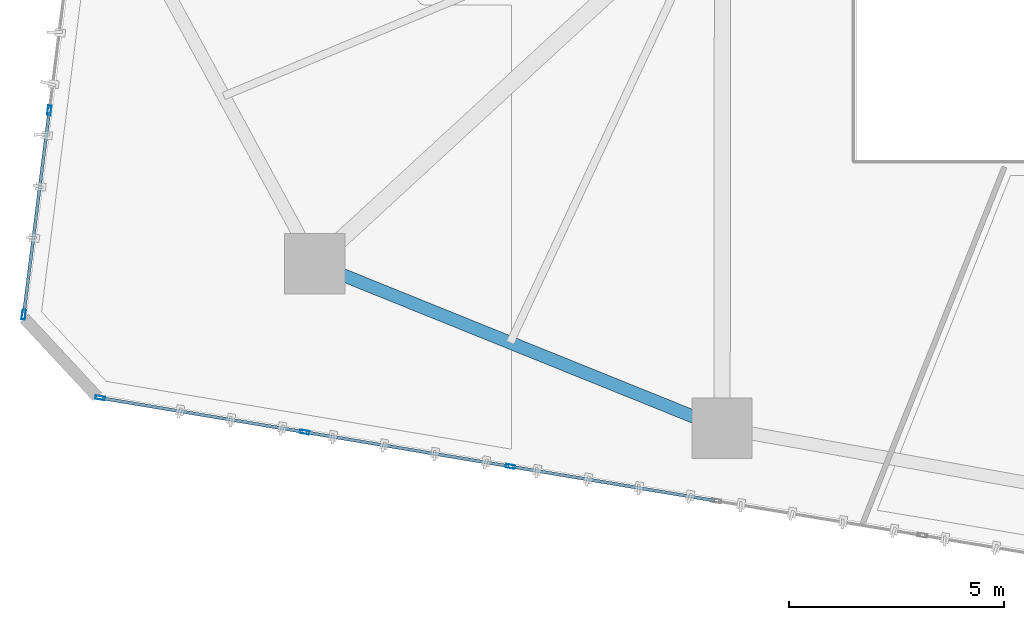
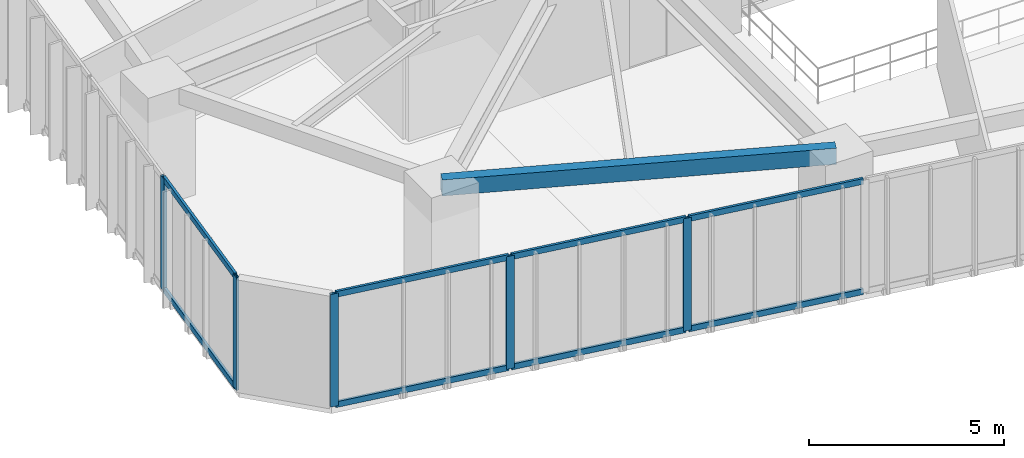
# One storey, part 2 of 21: 13 members, 1 beam, 2 elements without a shape of their own.
"""IFC4 building model written with IfcOpenShell, lengths in metres."""

from ifc_helpers import new_model, si_unit, direction, frame, origin, origin_2d, place, context, subcontext, project, spatial, hollow_rectangle, extrude, source, transform, mapped, material, layer, layer_set, material_profile, profile_set, type_object, type_shapes, element, aggregate, save


model = new_model("IFC4")

# Units and contexts
model_context = context("Model", 3, precision=1e-05, world=origin(), true_north=direction((0.0, 1.0)))
body_context = subcontext(model_context, "Body", "Model", "MODEL_VIEW")
ifc_project = project(units=[si_unit("LENGTHUNIT", "METRE"), si_unit("AREAUNIT", "SQUARE_METRE"), si_unit("VOLUMEUNIT", "CUBIC_METRE"), si_unit("PLANEANGLEUNIT", "RADIAN"), si_unit("MASSUNIT", "GRAM", prefix="KILO")], contexts=[model_context])

# Site, building, storey
site_placement = place(None, origin())
site = spatial("IfcSite", under=ifc_project, at=site_placement, CompositionType="ELEMENT")
building_placement = place(site_placement, origin())
building = spatial("IfcBuilding", under=site, at=building_placement, Name="Talar Marvaseh", CompositionType="ELEMENT")
storey_placement = place(building_placement, frame((0.0, 0.0, 62.0)))
storey = spatial("IfcBuildingStorey", under=building, at=storey_placement, Name="L15", CompositionType="ELEMENT", Elevation=62.0)

# Beam
ifc_material_1 = material(Name="Steel S355", Category="steel")
ifc_material_profile_1 = material_profile(ifc_material_1, hollow_rectangle(XDim=0.300048828125, YDim=0.5, WallThickness=0.02001953125, at=origin_2d()), Name="RHS500x300x20")
ifc_profile_set_1 = profile_set([ifc_material_profile_1], Name="Steel S355")
beam_type = type_object("IfcBeamType", Name="Zone 1 Perimeter Spandrel Beam RHS500x300x20", PredefinedType="SPANDREL", material=ifc_profile_set_1)
beam_placement = place(storey_placement, frame((18.68310546875, 12.97900390625, 3.27001953125), z_axis=(-0.927239278118, 0.374469386084, 0.0), x_axis=(-0.374469386084, -0.927239278118, 0.0)))
element("IfcBeam", 1, at=beam_placement, inside=storey, type_object=beam_type, Name="L15 Zone 1 Perimeter Spandrel Beam RHS500x300x20", PredefinedType="SPANDREL", context=body_context, shape_type="SweptSolid", body=[
    extrude(hollow_rectangle(XDim=0.300048828125, YDim=0.5, WallThickness=0.02001953125, at=origin_2d()), origin(), (0.0, 0.0, 1.0), 10.19287109375),
])

# Curtain wall, members
ifc_material_2 = material(Name="Architectural Aluminium", Category="aluminium")
ifc_layer = layer(ifc_material_2, 0.219970703125)
ifc_layer_set = layer_set([ifc_layer], Name="Architectural Aluminium")
curtain_wall_type = type_object("IfcCurtainWallType", Name="Unitised Low-E Museum Curtain Wall Z1", PredefinedType="NOTDEFINED", material=ifc_layer_set)
curtain_wall_1_placement = place(storey_placement, origin())
curtain_wall_1 = element("IfcCurtainWall", 2, at=curtain_wall_1_placement, inside=storey, type_object=curtain_wall_type, Name="L15 Unitised Low-E Museum Curtain Wall Z1", PredefinedType="NOTDEFINED")
ifc_material_profile_2 = material_profile(ifc_material_2, hollow_rectangle(XDim=0.080078125, YDim=0.219970703125, WallThickness=0.0048828125, at=origin_2d()), Name="RHS220x80x5")
ifc_profile_set_2 = profile_set([ifc_material_profile_2], Name="Architectural Aluminium")
member_type_1 = type_object("IfcMemberType", Name="Unitised Curtain Wall Heavy Mullion RHS220x80x5", PredefinedType="MULLION", material=ifc_profile_set_2)
shared_shape_1 = source(origin(), body_context, "Body", "SweptSolid", [
    extrude(hollow_rectangle(XDim=0.080078125, YDim=0.219970703125, WallThickness=0.0048828125, at=origin_2d()), origin(), (0.0, 0.0, 1.0), 3.52001953125),
])
type_shapes(member_type_1, [shared_shape_1])
member_1_placement = place(storey_placement, frame((2.482177734375, 15.61376953125, 0.0), z_axis=(0.0, 0.0, 1.0), x_axis=(-0.992215547437, 0.124532354927, 0.0)))
member_1 = element("IfcMember", 3, at=member_1_placement, type_object=member_type_1, Name="CW-Z1 mullion 1", PredefinedType="MULLION", context=body_context, shape_type="MappedRepresentation", body=[
    mapped(shared_shape_1, transform((0.0, 0.0, 0.0), x_axis=(1.0, 0.0, 0.0), y_axis=(0.0, 1.0, 0.0), z_axis=(0.0, 0.0, 1.0), scale=1.0)),
])
member_2_placement = place(storey_placement, frame((3.076904296875, 20.353271484375, 0.0), z_axis=(0.0, 0.0, 1.0), x_axis=(-0.992215547437, 0.124532354927, 0.0)))
member_2 = element("IfcMember", 4, at=member_2_placement, type_object=member_type_1, Name="CW-Z1 mullion 2", PredefinedType="MULLION", context=body_context, shape_type="MappedRepresentation", body=[
    mapped(shared_shape_1, transform((0.0, 0.0, 0.0), x_axis=(1.0, 0.0, 0.0), y_axis=(0.0, 1.0, 0.0), z_axis=(0.0, 0.0, 1.0), scale=1.0)),
])

curtain_wall_2_placement = place(storey_placement, origin())
curtain_wall_2 = element("IfcCurtainWall", 5, at=curtain_wall_2_placement, inside=storey, type_object=curtain_wall_type, Name="L15 Unitised Low-E Museum Curtain Wall Z1", PredefinedType="NOTDEFINED")
member_3_placement = place(storey_placement, frame((13.776611328125, 12.090576171875, 0.0), z_axis=(0.0, 0.0, 1.0), x_axis=(-0.164896294876, -0.986310910381, 0.0)))
member_3 = element("IfcMember", 6, at=member_3_placement, type_object=member_type_1, Name="CW-Z1 mullion 4", PredefinedType="MULLION", context=body_context, shape_type="MappedRepresentation", body=[
    mapped(shared_shape_1, transform((0.0, 0.0, 0.0), x_axis=(1.0, 0.0, 0.0), y_axis=(0.0, 1.0, 0.0), z_axis=(0.0, 0.0, 1.0), scale=1.0)),
])
member_4_placement = place(storey_placement, frame((8.99755859375, 12.8896484375, 0.0), z_axis=(0.0, 0.0, 1.0), x_axis=(-0.164896294876, -0.986310910381, 0.0)))
member_4 = element("IfcMember", 7, at=member_4_placement, type_object=member_type_1, Name="CW-Z1 mullion 5", PredefinedType="MULLION", context=body_context, shape_type="MappedRepresentation", body=[
    mapped(shared_shape_1, transform((0.0, 0.0, 0.0), x_axis=(1.0, 0.0, 0.0), y_axis=(0.0, 1.0, 0.0), z_axis=(0.0, 0.0, 1.0), scale=1.0)),
])
member_5_placement = place(storey_placement, frame((4.258056640625, 13.681884765625, 0.0), z_axis=(0.0, 0.0, 1.0), x_axis=(-0.164896294876, -0.986310910381, 0.0)))
member_5 = element("IfcMember", 8, at=member_5_placement, type_object=member_type_1, Name="CW-Z1 mullion 6", PredefinedType="MULLION", context=body_context, shape_type="MappedRepresentation", body=[
    mapped(shared_shape_1, transform((0.0, 0.0, 0.0), x_axis=(1.0, 0.0, 0.0), y_axis=(0.0, 1.0, 0.0), z_axis=(0.0, 0.0, 1.0), scale=1.0)),
])

# Member
ifc_material_profile_3 = material_profile(ifc_material_2, hollow_rectangle(XDim=0.074951171875, YDim=0.179931640625, WallThickness=0.0048828125, at=origin_2d()), Name="RHS180x75x5")
ifc_profile_set_3 = profile_set([ifc_material_profile_3], Name="Architectural Aluminium")
member_type_2 = type_object("IfcMemberType", Name="Unitised Curtain Wall Transom RHS180x75x5", PredefinedType="USERDEFINED", material=ifc_profile_set_3)
shared_shape_2 = source(origin(), body_context, "Body", "SweptSolid", [
    extrude(hollow_rectangle(XDim=0.074951171875, YDim=0.179931640625, WallThickness=0.0048828125, at=origin_2d()), origin(), (0.0, 0.0, 1.0), 4.69677734375),
])
member_6_placement = place(storey_placement, frame((2.487060546875, 15.653564453125, 0.03759765625), z_axis=(0.12454653124, 0.992213768074, 0.0), x_axis=(-0.992213768074, 0.12454653124, 0.0)))
member_6 = element("IfcMember", 9, at=member_6_placement, type_object=member_type_2, Name="CW-Z1 transom 1.1", ObjectType="TRANSOM", PredefinedType="USERDEFINED", context=body_context, shape_type="MappedRepresentation", body=[
    mapped(shared_shape_2, transform((0.0, 0.0, 0.0), x_axis=(1.0, 0.0, 0.0), y_axis=(0.0, 1.0, 0.0), z_axis=(0.0, 0.0, 1.0), scale=1.0)),
])

member_7_placement = place(storey_placement, frame((2.487060546875, 15.653564453125, 3.482421875), z_axis=(0.12454653124, 0.992213768074, 0.0), x_axis=(-0.992213768074, 0.12454653124, 0.0)))
member_7 = element("IfcMember", 10, at=member_7_placement, type_object=member_type_2, Name="CW-Z1 transom 1.2", ObjectType="TRANSOM", PredefinedType="USERDEFINED", context=body_context, shape_type="MappedRepresentation", body=[
    mapped(shared_shape_2, transform((0.0, 0.0, 0.0), x_axis=(1.0, 0.0, 0.0), y_axis=(0.0, 1.0, 0.0), z_axis=(0.0, 0.0, 1.0), scale=1.0)),
])

aggregate(curtain_wall_1, [member_1, member_2, member_6, member_7])

shared_shape_3 = source(origin(), body_context, "Body", "SweptSolid", [
    extrude(hollow_rectangle(XDim=0.074951171875, YDim=0.179931640625, WallThickness=0.0048828125, at=origin_2d()), origin(), (0.0, 0.0, 1.0), 4.725341796875),
])
member_8_placement = place(storey_placement, frame((8.9580078125, 12.896240234375, 0.03759765625), z_axis=(-0.98631561413, 0.164868157396, 0.0), x_axis=(-0.164868157396, -0.98631561413, 0.0)))
member_8 = element("IfcMember", 11, at=member_8_placement, type_object=member_type_2, Name="CW-Z1 transom 5.1", ObjectType="TRANSOM", PredefinedType="USERDEFINED", context=body_context, shape_type="MappedRepresentation", body=[
    mapped(shared_shape_3, transform((0.0, 0.0, 0.0), x_axis=(1.0, 0.0, 0.0), y_axis=(0.0, 1.0, 0.0), z_axis=(0.0, 0.0, 1.0), scale=1.0)),
])

member_9_placement = place(storey_placement, frame((8.9580078125, 12.896240234375, 3.482421875), z_axis=(-0.98631561413, 0.164868157396, 0.0), x_axis=(-0.164868157396, -0.98631561413, 0.0)))
member_9 = element("IfcMember", 12, at=member_9_placement, type_object=member_type_2, Name="CW-Z1 transom 5.2", ObjectType="TRANSOM", PredefinedType="USERDEFINED", context=body_context, shape_type="MappedRepresentation", body=[
    mapped(shared_shape_3, transform((0.0, 0.0, 0.0), x_axis=(1.0, 0.0, 0.0), y_axis=(0.0, 1.0, 0.0), z_axis=(0.0, 0.0, 1.0), scale=1.0)),
])

shared_shape_4 = source(origin(), body_context, "Body", "SweptSolid", [
    extrude(hollow_rectangle(XDim=0.074951171875, YDim=0.179931640625, WallThickness=0.0048828125, at=origin_2d()), origin(), (0.0, 0.0, 1.0), 4.765380859375),
])
type_shapes(member_type_2, [shared_shape_2, shared_shape_3, shared_shape_4])
member_10_placement = place(storey_placement, frame((18.51611328125, 11.29833984375, 0.03759765625), z_axis=(-0.986316273963, 0.164864209932, 0.0), x_axis=(-0.164864209932, -0.986316273963, 0.0)))
member_10 = element("IfcMember", 13, at=member_10_placement, type_object=member_type_2, Name="CW-Z1 transom 3.1", ObjectType="TRANSOM", PredefinedType="USERDEFINED", context=body_context, shape_type="MappedRepresentation", body=[
    mapped(shared_shape_4, transform((0.0, 0.0, 0.0), x_axis=(1.0, 0.0, 0.0), y_axis=(0.0, 1.0, 0.0), z_axis=(0.0, 0.0, 1.0), scale=1.0)),
])

member_11_placement = place(storey_placement, frame((18.51611328125, 11.29833984375, 3.482421875), z_axis=(-0.986316273963, 0.164864209932, 0.0), x_axis=(-0.164864209932, -0.986316273963, 0.0)))
member_11 = element("IfcMember", 14, at=member_11_placement, type_object=member_type_2, Name="CW-Z1 transom 3.2", ObjectType="TRANSOM", PredefinedType="USERDEFINED", context=body_context, shape_type="MappedRepresentation", body=[
    mapped(shared_shape_4, transform((0.0, 0.0, 0.0), x_axis=(1.0, 0.0, 0.0), y_axis=(0.0, 1.0, 0.0), z_axis=(0.0, 0.0, 1.0), scale=1.0)),
])

member_12_placement = place(storey_placement, frame((13.737060546875, 12.09716796875, 0.03759765625), z_axis=(-0.986307942046, 0.164914048693, 0.0), x_axis=(-0.164914048693, -0.986307942046, 0.0)))
member_12 = element("IfcMember", 15, at=member_12_placement, type_object=member_type_2, Name="CW-Z1 transom 4.1", ObjectType="TRANSOM", PredefinedType="USERDEFINED", context=body_context, shape_type="MappedRepresentation", body=[
    mapped(shared_shape_4, transform((0.0, 0.0, 0.0), x_axis=(1.0, 0.0, 0.0), y_axis=(0.0, 1.0, 0.0), z_axis=(0.0, 0.0, 1.0), scale=1.0)),
])

member_13_placement = place(storey_placement, frame((13.737060546875, 12.09716796875, 3.482421875), z_axis=(-0.986307942046, 0.164914048693, 0.0), x_axis=(-0.164914048693, -0.986307942046, 0.0)))
member_13 = element("IfcMember", 16, at=member_13_placement, type_object=member_type_2, Name="CW-Z1 transom 4.2", ObjectType="TRANSOM", PredefinedType="USERDEFINED", context=body_context, shape_type="MappedRepresentation", body=[
    mapped(shared_shape_4, transform((0.0, 0.0, 0.0), x_axis=(1.0, 0.0, 0.0), y_axis=(0.0, 1.0, 0.0), z_axis=(0.0, 0.0, 1.0), scale=1.0)),
])

aggregate(curtain_wall_2, [member_3, member_4, member_5, member_10, member_11, member_12, member_13, member_8, member_9])

save(model, "model.ifc")
